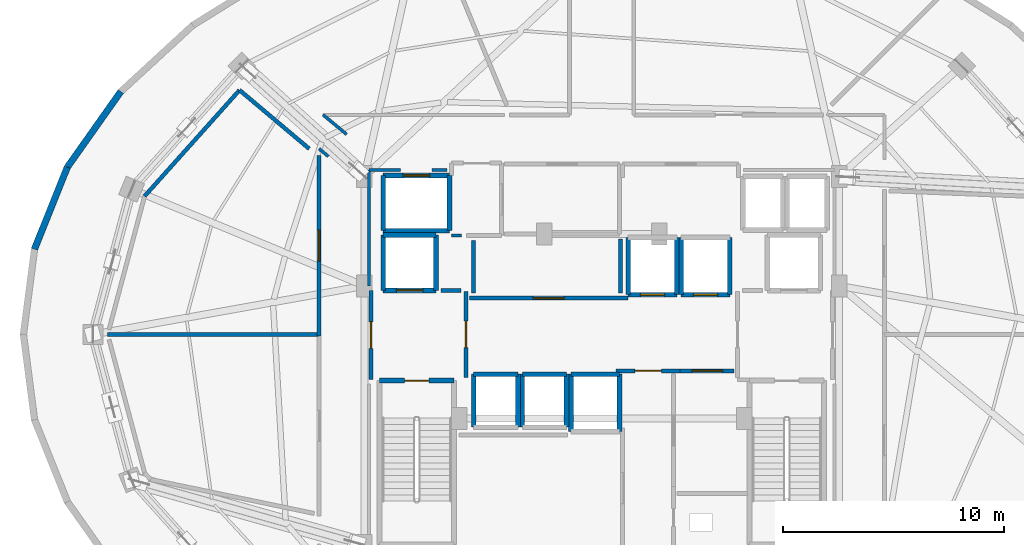
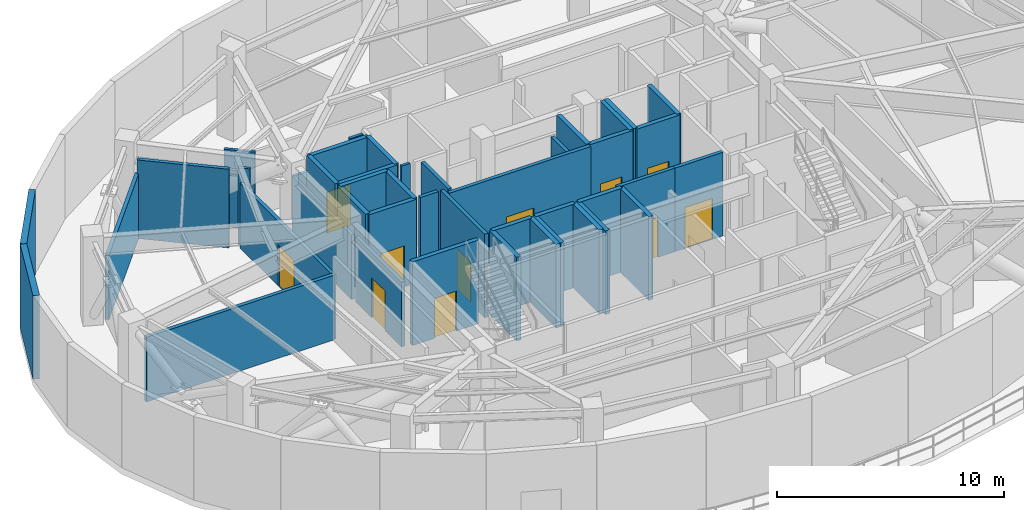
# One storey, part 7 of 10: 44 walls, 11 doors, 11 openings.
"""IFC4 building model written with IfcOpenShell, lengths in metres."""

from ifc_helpers import new_model, si_unit, direction, frame, frame_2d, origin, place, context, subcontext, project, spatial, rectangle, extrude, material, layer, layer_set, type_object, element, fill, save


model = new_model("IFC4")

# Units and contexts
model_context = context("Model", 3, precision=1e-05, world=origin(), true_north=direction((0.0, 1.0)))
body_context = subcontext(model_context, "Body", "Model", "MODEL_VIEW")
ifc_project = project(units=[si_unit("LENGTHUNIT", "METRE"), si_unit("AREAUNIT", "SQUARE_METRE"), si_unit("VOLUMEUNIT", "CUBIC_METRE"), si_unit("PLANEANGLEUNIT", "RADIAN"), si_unit("MASSUNIT", "GRAM", prefix="KILO")], contexts=[model_context])

# Site, building, storey
site_placement = place(None, origin())
site = spatial("IfcSite", under=ifc_project, at=site_placement, CompositionType="ELEMENT")
building_placement = place(site_placement, origin())
building = spatial("IfcBuilding", under=site, at=building_placement, Name="Vorneva Point Tower", CompositionType="ELEMENT")
storey_placement = place(building_placement, frame((0.0, 0.0, 224.949951171875)))
storey = spatial("IfcBuildingStorey", under=building, at=storey_placement, Name="L61", CompositionType="ELEMENT", Elevation=224.949951171875)

# Wall, opening, door
ifc_material_1 = material(Name="Concrete B60 (C50/60)", Category="concrete")
ifc_layer_1 = layer(ifc_material_1, 0.35009765625)
ifc_layer_set_1 = layer_set([ifc_layer_1], Name="Concrete B60 (C50/60)")
wall_type_1 = type_object("IfcWallType", Name="WL-CORE-350", PredefinedType="SHEAR", material=ifc_layer_set_1)
wall_1_placement = place(storey_placement, frame((28.10009765625, 28.0, 0.0), z_axis=(0.0, 0.0, 1.0), x_axis=(1.0, 0.0, 0.0)))
wall_1 = element("IfcWall", 1, at=wall_1_placement, inside=storey, type_object=wall_type_1, Name="L61 Lift FFL1 Shaft Wall -Y", PredefinedType="SHEAR", context=body_context, shape_type="SweptSolid", body=[
    extrude(rectangle(XDim=2.39990234375, YDim=0.219970703125, at=frame_2d((1.199951171875, 0.0))), origin(), (0.0, 0.0, 1.0), 4.5),
])
opening_1_placement = place(wall_1_placement, frame((0.60009765625, 0.0, 0.0)))
opening_1 = element("IfcOpeningElement", 2, at=opening_1_placement, cuts=wall_1, Name="Opening LD-02", PredefinedType="OPENING", context=body_context, shape_type="SweptSolid", body=[
    extrude(rectangle(XDim=1.199951171875, YDim=2.199951171875, at=frame_2d((0.60009765625, 1.10009765625))), frame((0.0, 0.125, 0.0), z_axis=(0.0, -1.0, 0.0), x_axis=(1.0, 0.0, 0.0)), (0.0, 0.0, 1.0), 0.249755859375),
])
ifc_material_2 = material(Name="Brushed stainless steel S304", Category="steel")
door_type_1 = type_object("IfcDoorType", Name="LD-FIRE-1200", OperationType="SLIDING_TO_LEFT", PredefinedType="DOOR", material=ifc_material_2)
door_1_placement = place(opening_1_placement, origin())
door_1 = element("IfcDoor", 3, at=door_1_placement, inside=storey, type_object=door_type_1, Name="L61 Lift FFL1 Sliding Landing Door", OperationType="SLIDING_TO_LEFT", OverallHeight=2.199951171875, OverallWidth=1.199951171875, PredefinedType="DOOR", context=body_context, shape_type="SweptSolid", body=[
    extrude(rectangle(XDim=1.199951171875, YDim=2.199951171875, at=frame_2d((0.60009765625, 1.10009765625))), frame((0.0, 0.02490234375, 0.0), z_axis=(0.0, -1.0, 0.0), x_axis=(1.0, 0.0, 0.0)), (0.0, 0.0, 1.0), 0.050048828125),
])
fill(opening_1, door_1)

# Walls
wall_2_placement = place(storey_placement, frame((30.5, 28.0, 0.0), z_axis=(0.0, 0.0, 1.0), x_axis=(0.0, 1.0, 0.0)))
element("IfcWall", 4, at=wall_2_placement, inside=storey, type_object=wall_type_1, Name="L61 Lift FFL1 Shaft Wall +X", PredefinedType="SHEAR", context=body_context, shape_type="SweptSolid", body=[
    extrude(rectangle(XDim=2.5, YDim=0.219970703125, at=frame_2d((1.25, 0.0))), origin(), (0.0, 0.0, 1.0), 4.5),
])
wall_3_placement = place(storey_placement, frame((30.5, 30.5, 0.0), z_axis=(0.0, 0.0, 1.0), x_axis=(-1.0, 0.0, 0.0)))
element("IfcWall", 5, at=wall_3_placement, inside=storey, type_object=wall_type_1, Name="L61 Lift FFL1 Shaft Wall +Y", PredefinedType="SHEAR", context=body_context, shape_type="SweptSolid", body=[
    extrude(rectangle(XDim=2.39990234375, YDim=0.219970703125, at=frame_2d((1.199951171875, 0.0))), origin(), (0.0, 0.0, 1.0), 4.5),
])
wall_4_placement = place(storey_placement, frame((28.10009765625, 30.5, 0.0), z_axis=(0.0, 0.0, 1.0), x_axis=(0.0, -1.0, 0.0)))
element("IfcWall", 6, at=wall_4_placement, inside=storey, type_object=wall_type_1, Name="L61 Lift FFL1 Shaft Wall -X", PredefinedType="SHEAR", context=body_context, shape_type="SweptSolid", body=[
    extrude(rectangle(XDim=2.5, YDim=0.219970703125, at=frame_2d((1.25, 0.0))), origin(), (0.0, 0.0, 1.0), 4.5),
])
ifc_material_3 = material(Name="Precast concrete B50 (C40/50)", Category="concrete")
ifc_layer_2 = layer(ifc_material_3, 0.300048828125)
ifc_layer_set_2 = layer_set([ifc_layer_2], Name="Precast concrete B50 (C40/50)")
wall_type_2 = type_object("IfcWallType", Name="WL-EXT-300", PredefinedType="STANDARD", material=ifc_layer_set_2)
wall_5_placement = place(storey_placement, frame((16.215576171875, 37.005859375, 0.0), z_axis=(0.0, 0.0, 1.0), x_axis=(-0.577261247247, -0.816559521668, 0.0)))
element("IfcWall", 7, at=wall_5_placement, inside=storey, type_object=wall_type_2, Name="L61 Pale-Metal Facade Spandrel Wall 07.2", PredefinedType="STANDARD", context=body_context, shape_type="SweptSolid", body=[
    extrude(rectangle(XDim=4.194091796875, YDim=0.300048828125, at=frame_2d((2.09716796875, 0.0))), origin(), (0.0, 0.0, 1.0), 4.5),
])
wall_6_placement = place(storey_placement, frame((13.79443359375, 33.5810546875, 0.0), z_axis=(0.0, 0.0, 1.0), x_axis=(-0.37234708598, -0.928093555393, 0.0)))
element("IfcWall", 8, at=wall_6_placement, inside=storey, type_object=wall_type_2, Name="L61 Pale-Metal Facade Spandrel Wall 08.1", PredefinedType="STANDARD", context=body_context, shape_type="SweptSolid", body=[
    extrude(rectangle(XDim=4.004150390625, YDim=0.300048828125, at=frame_2d((2.001953125, 0.0))), origin(), (0.0, 0.0, 1.0), 4.5),
])
ifc_material_4 = material(Name="Fire-rated acoustic gypsum stud partition", Category="gypsum")
ifc_layer_3 = layer(ifc_material_4, 0.139892578125)
ifc_layer_set_3 = layer_set([ifc_layer_3], Name="Fire-rated acoustic gypsum stud partition")
wall_type_3 = type_object("IfcWallType", Name="WL-PART-140", PredefinedType="PARTITIONING", material=ifc_layer_set_3)
wall_7_placement = place(storey_placement, frame((31.199951171875, 30.47998046875, 0.0), z_axis=(0.0, 0.0, 1.0), x_axis=(1.0, 0.0, 0.0)))
element("IfcWall", 9, at=wall_7_placement, inside=storey, type_object=wall_type_3, Name="L61 Interior Closure Partition 046", PredefinedType="PARTITIONING", context=body_context, shape_type="SweptSolid", body=[
    extrude(rectangle(XDim=0.449951171875, YDim=0.139892578125, at=frame_2d((0.22509765625, 0.0))), origin(), (0.0, 0.0, 1.0), 4.5),
])
wall_8_placement = place(storey_placement, frame((25.37890625, 35.949951171875, 0.0), z_axis=(0.0, 0.0, 1.0), x_axis=(0.769447461533, -0.638710109471, 0.0)))
element("IfcWall", 10, at=wall_8_placement, inside=storey, type_object=wall_type_3, Name="L61 Interior Closure Partition 056", PredefinedType="PARTITIONING", context=body_context, shape_type="SweptSolid", body=[
    extrude(rectangle(XDim=1.3857421875, YDim=0.139892578125, at=frame_2d((0.69287109375, 0.0))), origin(), (0.0, 0.0, 1.0), 4.14599609375),
])
wall_9_placement = place(storey_placement, frame((25.614013671875, 34.06494140625, 0.0), z_axis=(0.0, 0.0, 1.0), x_axis=(-0.769186943462, 0.639023822723, 0.0)))
element("IfcWall", 11, at=wall_9_placement, inside=storey, type_object=wall_type_3, Name="L61 Interior Closure Partition 057", PredefinedType="PARTITIONING", context=body_context, shape_type="SweptSolid", body=[
    extrude(rectangle(XDim=0.538330078125, YDim=0.139892578125, at=frame_2d((0.26904296875, 0.0))), origin(), (0.0, 0.0, 1.0), 4.14599609375),
])
wall_10_placement = place(storey_placement, frame((30.97998046875, 33.449951171875, 0.0), z_axis=(0.0, 0.0, 1.0), x_axis=(-1.0, 0.0, 0.0)))
element("IfcWall", 12, at=wall_10_placement, inside=storey, type_object=wall_type_3, Name="L61 Interior Closure Partition 060", PredefinedType="PARTITIONING", context=body_context, shape_type="SweptSolid", body=[
    extrude(rectangle(XDim=0.674072265625, YDim=0.139892578125, at=frame_2d((0.3369140625, 0.0))), origin(), (0.0, 0.0, 1.0), 4.5),
])
wall_11_placement = place(storey_placement, frame((28.89404296875, 33.449951171875, 0.0), z_axis=(0.0, 0.0, 1.0), x_axis=(-1.0, 0.0, 0.0)))
element("IfcWall", 13, at=wall_11_placement, inside=storey, type_object=wall_type_3, Name="L61 Interior Closure Partition 061", PredefinedType="PARTITIONING", context=body_context, shape_type="SweptSolid", body=[
    extrude(rectangle(XDim=1.444091796875, YDim=0.139892578125, at=frame_2d((0.72216796875, 0.0))), origin(), (0.0, 0.0, 1.0), 3.48193359375),
])
wall_12_placement = place(storey_placement, frame((27.449951171875, 33.449951171875, 0.0), z_axis=(0.0, 0.0, 1.0), x_axis=(0.0, -1.0, 0.0)))
element("IfcWall", 14, at=wall_12_placement, inside=storey, type_object=wall_type_3, Name="L61 Interior Closure Partition 062", PredefinedType="PARTITIONING", context=body_context, shape_type="SweptSolid", body=[
    extrude(rectangle(XDim=5.25390625, YDim=0.139892578125, at=frame_2d((2.626953125, 0.0))), origin(), (0.0, 0.0, 1.0), 3.48193359375),
])

# Wall, opening, door
ifc_material_5 = material(Name="Autoclaved aerated concrete blockwork", Category="masonry")
ifc_layer_4 = layer(ifc_material_5, 0.179931640625)
ifc_layer_set_4 = layer_set([ifc_layer_4], Name="Autoclaved aerated concrete blockwork")
wall_type_4 = type_object("IfcWallType", Name="WL-PART-180", PredefinedType="PARTITIONING", material=ifc_layer_set_4)
wall_13_placement = place(storey_placement, frame((31.85009765625, 24.044921875, 0.0), z_axis=(0.0, 0.0, 1.0), x_axis=(0.0, 1.0, 0.0)))
wall_13 = element("IfcWall", 15, at=wall_13_placement, inside=storey, type_object=wall_type_4, Name="L61 Interior Partition 001", PredefinedType="PARTITIONING", context=body_context, shape_type="SweptSolid", body=[
    extrude(rectangle(XDim=3.91015625, YDim=0.179931640625, at=frame_2d((1.955078125, 0.0))), origin(), (0.0, 0.0, 1.0), 4.5),
])
opening_2_placement = place(wall_13_placement, frame((1.35498046875, 0.0, 0.0)))
opening_2 = element("IfcOpeningElement", 16, at=opening_2_placement, cuts=wall_13, Name="Opening FD-02", PredefinedType="OPENING", context=body_context, shape_type="SweptSolid", body=[
    extrude(rectangle(XDim=1.199951171875, YDim=2.14990234375, at=frame_2d((0.60009765625, 1.074951171875))), frame((0.0, 0.10498046875, 0.0), z_axis=(0.0, -1.0, 0.0), x_axis=(1.0, 0.0, 0.0)), (0.0, 0.0, 1.0), 0.209716796875),
])
ifc_material_6 = material(Name="Fire-rated powder-coated steel", Category="steel")
door_type_2 = type_object("IfcDoorType", Name="DR-FFL-1200", OperationType="NOTDEFINED", PredefinedType="DOOR", material=ifc_material_6)
door_2_placement = place(opening_2_placement, origin())
door_2 = element("IfcDoor", 17, at=door_2_placement, inside=storey, type_object=door_type_2, Name="L61 Door West Firefighting Lobby / Central Lift Lobby", OperationType="SINGLE_SWING_RIGHT", OverallHeight=2.14990234375, OverallWidth=1.199951171875, PredefinedType="DOOR", context=body_context, shape_type="SweptSolid", body=[
    extrude(rectangle(XDim=1.199951171875, YDim=2.14990234375, at=frame_2d((0.60009765625, 1.074951171875))), frame((0.0, 0.02490234375, 0.0), z_axis=(0.0, -1.0, 0.0), x_axis=(1.0, 0.0, 0.0)), (0.0, 0.0, 1.0), 0.050048828125),
])
fill(opening_2, door_2)

wall_14_placement = place(storey_placement, frame((27.550048828125, 28.0, 0.0), z_axis=(0.0, 0.0, 1.0), x_axis=(0.0, -1.0, 0.0)))
wall_14 = element("IfcWall", 18, at=wall_14_placement, inside=storey, type_object=wall_type_4, Name="L61 Interior Partition 002", PredefinedType="PARTITIONING", context=body_context, shape_type="SweptSolid", body=[
    extrude(rectangle(XDim=4.050048828125, YDim=0.179931640625, at=frame_2d((2.02490234375, 0.0))), origin(), (0.0, 0.0, 1.0), 3.48193359375),
])
opening_3_placement = place(wall_14_placement, frame((1.425048828125, 0.0, 0.0)))
opening_3 = element("IfcOpeningElement", 19, at=opening_3_placement, cuts=wall_14, Name="Opening FD-02", PredefinedType="OPENING", context=body_context, shape_type="SweptSolid", body=[
    extrude(rectangle(XDim=1.199951171875, YDim=2.14990234375, at=frame_2d((0.60009765625, 1.074951171875))), frame((0.0, 0.10498046875, 0.0), z_axis=(0.0, -1.0, 0.0), x_axis=(1.0, 0.0, 0.0)), (0.0, 0.0, 1.0), 0.209716796875),
])
door_3_placement = place(opening_3_placement, origin())
door_3 = element("IfcDoor", 20, at=door_3_placement, inside=storey, type_object=door_type_2, Name="L61 Door West Firefighting Lobby / L61 Refuge and Lift Lobby", OperationType="SINGLE_SWING_RIGHT", OverallHeight=2.14990234375, OverallWidth=1.199951171875, PredefinedType="DOOR", context=body_context, shape_type="SweptSolid", body=[
    extrude(rectangle(XDim=1.199951171875, YDim=2.14990234375, at=frame_2d((0.60009765625, 1.074951171875))), frame((0.0, 0.02490234375, 0.0), z_axis=(0.0, -1.0, 0.0), x_axis=(1.0, 0.0, 0.0)), (0.0, 0.0, 1.0), 0.050048828125),
])
fill(opening_3, door_3)

wall_15_placement = place(storey_placement, frame((38.64501953125, 24.35009765625, 0.0), z_axis=(0.0, 0.0, 1.0), x_axis=(1.0, 0.0, 0.0)))
wall_15 = element("IfcWall", 21, at=wall_15_placement, inside=storey, type_object=wall_type_4, Name="L61 Interior Partition 010", PredefinedType="PARTITIONING", context=body_context, shape_type="SweptSolid", body=[
    extrude(rectangle(XDim=2.909912109375, YDim=0.179931640625, at=frame_2d((1.455078125, 0.0))), origin(), (0.0, 0.0, 1.0), 4.5),
])
opening_4_placement = place(wall_15_placement, frame((0.85498046875, 0.0, 0.0)))
opening_4 = element("IfcOpeningElement", 22, at=opening_4_placement, cuts=wall_15, Name="Opening FD-02", PredefinedType="OPENING", context=body_context, shape_type="SweptSolid", body=[
    extrude(rectangle(XDim=1.199951171875, YDim=2.14990234375, at=frame_2d((0.60009765625, 1.074951171875))), frame((0.0, 0.10498046875, 0.0), z_axis=(0.0, -1.0, 0.0), x_axis=(1.0, 0.0, 0.0)), (0.0, 0.0, 1.0), 0.209716796875),
])
door_4_placement = place(opening_4_placement, origin())
door_4 = element("IfcDoor", 23, at=door_4_placement, inside=storey, type_object=door_type_2, Name="L61 Door Central Lift Lobby / Core Service Lobby", OperationType="SINGLE_SWING_LEFT", OverallHeight=2.14990234375, OverallWidth=1.199951171875, PredefinedType="DOOR", context=body_context, shape_type="SweptSolid", body=[
    extrude(rectangle(XDim=1.199951171875, YDim=2.14990234375, at=frame_2d((0.60009765625, 1.074951171875))), frame((0.0, 0.02490234375, 0.0), z_axis=(0.0, -1.0, 0.0), x_axis=(1.0, 0.0, 0.0)), (0.0, 0.0, 1.0), 0.050048828125),
])
fill(opening_4, door_4)

wall_16_placement = place(storey_placement, frame((41.554931640625, 24.35009765625, 0.0), z_axis=(0.0, 0.0, 1.0), x_axis=(1.0, 0.0, 0.0)))
wall_16 = element("IfcWall", 24, at=wall_16_placement, inside=storey, type_object=wall_type_4, Name="L61 Interior Partition 011", PredefinedType="PARTITIONING", context=body_context, shape_type="SweptSolid", body=[
    extrude(rectangle(XDim=2.445068359375, YDim=0.179931640625, at=frame_2d((1.22265625, 0.0))), origin(), (0.0, 0.0, 1.0), 4.5),
])
opening_5_placement = place(wall_16_placement, frame((0.5224609375, 0.0, 0.0)))
opening_5 = element("IfcOpeningElement", 25, at=opening_5_placement, cuts=wall_16, Name="Opening FD-03", PredefinedType="OPENING", context=body_context, shape_type="SweptSolid", body=[
    extrude(rectangle(XDim=1.39990234375, YDim=2.199951171875, at=frame_2d((0.699951171875, 1.10009765625))), frame((0.0, 0.10498046875, 0.0), z_axis=(0.0, -1.0, 0.0), x_axis=(1.0, 0.0, 0.0)), (0.0, 0.0, 1.0), 0.209716796875),
])
door_type_3 = type_object("IfcDoorType", Name="DR-PLT-1400", OperationType="DOUBLE_SWING_LEFT", PredefinedType="DOOR", material=ifc_material_6)
door_5_placement = place(opening_5_placement, origin())
door_5 = element("IfcDoor", 26, at=door_5_placement, inside=storey, type_object=door_type_3, Name="L61 Door Central Lift Lobby / Core BMS Control Plant L61", OperationType="DOUBLE_SWING_LEFT", OverallHeight=2.199951171875, OverallWidth=1.39990234375, PredefinedType="DOOR", context=body_context, shape_type="SweptSolid", body=[
    extrude(rectangle(XDim=1.39990234375, YDim=2.199951171875, at=frame_2d((0.699951171875, 1.10009765625))), frame((0.0, 0.02490234375, 0.0), z_axis=(0.0, -1.0, 0.0), x_axis=(1.0, 0.0, 0.0)), (0.0, 0.0, 1.0), 0.050048828125),
])
fill(opening_5, door_5)

wall_17_placement = place(storey_placement, frame((39.18994140625, 27.64990234375, 0.0), z_axis=(0.0, 0.0, 1.0), x_axis=(-1.0, 0.0, 0.0)))
wall_17 = element("IfcWall", 27, at=wall_17_placement, inside=storey, type_object=wall_type_4, Name="L61 Interior Partition 012", PredefinedType="PARTITIONING", context=body_context, shape_type="SweptSolid", body=[
    extrude(rectangle(XDim=7.18994140625, YDim=0.179931640625, at=frame_2d((3.594970703125, 0.0))), origin(), (0.0, 0.0, 1.0), 4.5),
])
opening_6_placement = place(wall_17_placement, frame((2.89501953125, 0.0, 0.0)))
opening_6 = element("IfcOpeningElement", 28, at=opening_6_placement, cuts=wall_17, Name="Opening FD-03", PredefinedType="OPENING", context=body_context, shape_type="SweptSolid", body=[
    extrude(rectangle(XDim=1.39990234375, YDim=2.199951171875, at=frame_2d((0.699951171875, 1.10009765625))), frame((0.0, 0.10498046875, 0.0), z_axis=(0.0, -1.0, 0.0), x_axis=(1.0, 0.0, 0.0)), (0.0, 0.0, 1.0), 0.209716796875),
])
door_6_placement = place(opening_6_placement, origin())
door_6 = element("IfcDoor", 29, at=door_6_placement, inside=storey, type_object=door_type_3, Name="L61 Door Central Lift Lobby / Crown Mechanical Plenum L61", OperationType="DOUBLE_SWING_LEFT", OverallHeight=2.199951171875, OverallWidth=1.39990234375, PredefinedType="DOOR", context=body_context, shape_type="SweptSolid", body=[
    extrude(rectangle(XDim=1.39990234375, YDim=2.199951171875, at=frame_2d((0.699951171875, 1.10009765625))), frame((0.0, 0.02490234375, 0.0), z_axis=(0.0, -1.0, 0.0), x_axis=(1.0, 0.0, 0.0)), (0.0, 0.0, 1.0), 0.050048828125),
])
fill(opening_6, door_6)

wall_18_placement = place(storey_placement, frame((25.199951171875, 34.111083984375, 0.0), z_axis=(0.0, 0.0, 1.0), x_axis=(0.0, -1.0, 0.0)))
wall_18 = element("IfcWall", 30, at=wall_18_placement, inside=storey, type_object=wall_type_4, Name="L61 Interior Partition 032", PredefinedType="PARTITIONING", context=body_context, shape_type="SweptSolid", body=[
    extrude(rectangle(XDim=8.171142578125, YDim=0.179931640625, at=frame_2d((4.08544921875, 0.0))), origin(), (0.0, 0.0, 1.0), 3.48193359375),
])
opening_7_placement = place(wall_18_placement, frame((3.385498046875, 0.0, 0.0)))
opening_7 = element("IfcOpeningElement", 31, at=opening_7_placement, cuts=wall_18, Name="Opening FD-03", PredefinedType="OPENING", context=body_context, shape_type="SweptSolid", body=[
    extrude(rectangle(XDim=1.39990234375, YDim=2.199951171875, at=frame_2d((0.699951171875, 1.10009765625))), frame((0.0, 0.10498046875, 0.0), z_axis=(0.0, -1.0, 0.0), x_axis=(1.0, 0.0, 0.0)), (0.0, 0.0, 1.0), 0.209716796875),
])
door_7_placement = place(opening_7_placement, origin())
door_7 = element("IfcDoor", 32, at=door_7_placement, inside=storey, type_object=door_type_3, Name="L61 Door L61 Refuge and Lift Lobby / Chiller Plant Room L61", OperationType="DOUBLE_SWING_LEFT", OverallHeight=2.199951171875, OverallWidth=1.39990234375, PredefinedType="DOOR", context=body_context, shape_type="SweptSolid", body=[
    extrude(rectangle(XDim=1.39990234375, YDim=2.199951171875, at=frame_2d((0.699951171875, 1.10009765625))), frame((0.0, 0.02490234375, 0.0), z_axis=(0.0, -1.0, 0.0), x_axis=(1.0, 0.0, 0.0)), (0.0, 0.0, 1.0), 0.050048828125),
])
fill(opening_7, door_7)

# Walls
wall_19_placement = place(storey_placement, frame((15.623046875, 26.0, 0.0), z_axis=(0.0, 0.0, 1.0), x_axis=(1.0, 0.0, 0.0)))
element("IfcWall", 33, at=wall_19_placement, inside=storey, type_object=wall_type_4, Name="L61 Interior Partition 042", PredefinedType="PARTITIONING", context=body_context, shape_type="SweptSolid", body=[
    extrude(rectangle(XDim=9.576904296875, YDim=0.179931640625, at=frame_2d((4.78857421875, 0.0))), origin(), (0.0, 0.0, 1.0), 3.48193359375),
])
wall_20_placement = place(storey_placement, frame((31.635009765625, 28.0, 0.0), z_axis=(0.0, 0.0, 1.0), x_axis=(-1.0, 0.0, 0.0)))
element("IfcWall", 34, at=wall_20_placement, inside=storey, type_object=wall_type_4, Name="L61 Interior Closure Partition 044", PredefinedType="PARTITIONING", context=body_context, shape_type="SweptSolid", body=[
    extrude(rectangle(XDim=0.9150390625, YDim=0.179931640625, at=frame_2d((0.45751953125, 0.0))), origin(), (0.0, 0.0, 1.0), 4.5),
])
wall_21_placement = place(storey_placement, frame((32.199951171875, 30.260009765625, 0.0), z_axis=(0.0, 0.0, 1.0), x_axis=(0.0, -1.0, 0.0)))
element("IfcWall", 35, at=wall_21_placement, inside=storey, type_object=wall_type_4, Name="L61 Interior Closure Partition 048", PredefinedType="PARTITIONING", context=body_context, shape_type="SweptSolid", body=[
    extrude(rectangle(XDim=2.389892578125, YDim=0.179931640625, at=frame_2d((1.19482421875, 0.0))), origin(), (0.0, 0.0, 1.0), 4.5),
])
wall_22_placement = place(storey_placement, frame((38.85009765625, 27.8701171875, 0.0), z_axis=(0.0, 0.0, 1.0), x_axis=(0.0, 1.0, 0.0)))
element("IfcWall", 36, at=wall_22_placement, inside=storey, type_object=wall_type_4, Name="L61 Interior Closure Partition 049", PredefinedType="PARTITIONING", context=body_context, shape_type="SweptSolid", body=[
    extrude(rectangle(XDim=2.4658203125, YDim=0.179931640625, at=frame_2d((1.23291015625, 0.0))), origin(), (0.0, 0.0, 1.0), 3.48193359375),
])
wall_23_placement = place(storey_placement, frame((21.593994140625, 37.068115234375, 0.0), z_axis=(0.0, 0.0, 1.0), x_axis=(-0.667012857152, -0.745046205543, 0.0)))
element("IfcWall", 37, at=wall_23_placement, inside=storey, type_object=wall_type_4, Name="L61 Interior Closure Partition 073", PredefinedType="PARTITIONING", context=body_context, shape_type="SweptSolid", body=[
    extrude(rectangle(XDim=6.4482421875, YDim=0.179931640625, at=frame_2d((3.22412109375, 0.0))), origin(), (0.0, 0.0, 1.0), 3.48193359375),
])
wall_24_placement = place(storey_placement, frame((24.75, 34.412109375, 0.0), z_axis=(0.0, 0.0, 1.0), x_axis=(-0.765112224477, 0.643896951349, 0.0)))
element("IfcWall", 38, at=wall_24_placement, inside=storey, type_object=wall_type_4, Name="L61 Interior Closure Partition 075", PredefinedType="PARTITIONING", context=body_context, shape_type="SweptSolid", body=[
    extrude(rectangle(XDim=4.125, YDim=0.179931640625, at=frame_2d((2.0625, 0.0))), origin(), (0.0, 0.0, 1.0), 4.23193359375),
])

# Wall, opening, door
ifc_material_7 = material(Name="Concrete B50 (C40/50)", Category="concrete")
ifc_layer_5 = layer(ifc_material_7, 0.219970703125)
ifc_layer_set_5 = layer_set([ifc_layer_5], Name="Concrete B50 (C40/50)")
wall_type_5 = type_object("IfcWallType", Name="WL-SHFT-220", PredefinedType="SOLIDWALL", material=ifc_layer_set_5)
wall_25_placement = place(storey_placement, frame((27.93994140625, 23.909912109375, 0.0), z_axis=(0.0, 0.0, 1.0), x_axis=(1.0, 0.0, 0.0)))
wall_25 = element("IfcWall", 39, at=wall_25_placement, inside=storey, type_object=wall_type_5, Name="L61 Exit Stair ST1 Shaft Wall near", PredefinedType="SOLIDWALL", context=body_context, shape_type="SweptSolid", body=[
    extrude(rectangle(XDim=3.3701171875, YDim=0.219970703125, at=frame_2d((1.68505859375, 0.0))), origin(), (0.0, 0.0, 1.0), 4.5),
])
opening_8_placement = place(wall_25_placement, frame((1.135009765625, 0.0, 0.0)))
opening_8 = element("IfcOpeningElement", 40, at=opening_8_placement, cuts=wall_25, Name="Opening FD-01", PredefinedType="OPENING", context=body_context, shape_type="SweptSolid", body=[
    extrude(rectangle(XDim=1.10009765625, YDim=2.14990234375, at=frame_2d((0.550048828125, 1.074951171875))), frame((0.0, 0.125, 0.0), z_axis=(0.0, -1.0, 0.0), x_axis=(1.0, 0.0, 0.0)), (0.0, 0.0, 1.0), 0.249755859375),
])
door_type_4 = type_object("IfcDoorType", Name="DR-STAIR-1100", OperationType="NOTDEFINED", PredefinedType="DOOR", material=ifc_material_6)
door_8_placement = place(opening_8_placement, origin())
door_8 = element("IfcDoor", 41, at=door_8_placement, inside=storey, type_object=door_type_4, Name="L61 Exit Stair ST1 Fire Door", OperationType="SINGLE_SWING_LEFT", OverallHeight=2.14990234375, OverallWidth=1.10009765625, PredefinedType="DOOR", context=body_context, shape_type="SweptSolid", body=[
    extrude(rectangle(XDim=1.10009765625, YDim=2.14990234375, at=frame_2d((0.550048828125, 1.074951171875))), frame((0.0, 0.02490234375, 0.0), z_axis=(0.0, -1.0, 0.0), x_axis=(1.0, 0.0, 0.0)), (0.0, 0.0, 1.0), 0.050048828125),
])
fill(opening_8, door_8)

# Walls
wall_26_placement = place(storey_placement, frame((34.199951171875, 21.800048828125, 0.0), z_axis=(0.0, 0.0, 1.0), x_axis=(0.0, 1.0, 0.0)))
element("IfcWall", 42, at=wall_26_placement, inside=storey, type_object=wall_type_5, Name="L61 Lift PL4 Shaft Wall +X", PredefinedType="SOLIDWALL", context=body_context, shape_type="SweptSolid", body=[
    extrude(rectangle(XDim=2.39990234375, YDim=0.219970703125, at=frame_2d((1.199951171875, 0.0))), origin(), (0.0, 0.0, 1.0), 4.5),
])
wall_27_placement = place(storey_placement, frame((34.199951171875, 24.199951171875, 0.0), z_axis=(0.0, 0.0, 1.0), x_axis=(-1.0, 0.0, 0.0)))
element("IfcWall", 43, at=wall_27_placement, inside=storey, type_object=wall_type_5, Name="L61 Lift PL4 Shaft Wall +Y", PredefinedType="SOLIDWALL", context=body_context, shape_type="SweptSolid", body=[
    extrude(rectangle(XDim=2.0, YDim=0.219970703125, at=frame_2d((1.0, 0.0))), origin(), (0.0, 0.0, 1.0), 4.5),
])
for number, where, z_axis, x_axis, name in (
    (44, (32.199951171875, 24.199951171875, 0.0), (0.0, 0.0, 1.0), (0.0, -1.0, 0.0), "L61 Lift PL4 Shaft Wall -X"),
    (45, (36.39990234375, 21.800048828125, 0.0), (0.0, 0.0, 1.0), (0.0, 1.0, 0.0), "L61 Lift PL5 Shaft Wall +X"),
):
    element("IfcWall", number, at=place(storey_placement, frame(where, z_axis=z_axis, x_axis=x_axis)), inside=storey, type_object=wall_type_5, Name=name, PredefinedType="SOLIDWALL", context=body_context, shape_type="SweptSolid", body=[
        extrude(rectangle(XDim=2.39990234375, YDim=0.219970703125, at=frame_2d((1.199951171875, 0.0))), origin(), (0.0, 0.0, 1.0), 4.5),
    ])
wall_28_placement = place(storey_placement, frame((36.39990234375, 24.199951171875, 0.0), z_axis=(0.0, 0.0, 1.0), x_axis=(-1.0, 0.0, 0.0)))
element("IfcWall", 46, at=wall_28_placement, inside=storey, type_object=wall_type_5, Name="L61 Lift PL5 Shaft Wall +Y", PredefinedType="SOLIDWALL", context=body_context, shape_type="SweptSolid", body=[
    extrude(rectangle(XDim=2.0, YDim=0.219970703125, at=frame_2d((1.0, 0.0))), origin(), (0.0, 0.0, 1.0), 4.5),
])
wall_29_placement = place(storey_placement, frame((34.39990234375, 24.199951171875, 0.0), z_axis=(0.0, 0.0, 1.0), x_axis=(0.0, -1.0, 0.0)))
element("IfcWall", 47, at=wall_29_placement, inside=storey, type_object=wall_type_5, Name="L61 Lift PL5 Shaft Wall -X", PredefinedType="SOLIDWALL", context=body_context, shape_type="SweptSolid", body=[
    extrude(rectangle(XDim=2.39990234375, YDim=0.219970703125, at=frame_2d((1.199951171875, 0.0))), origin(), (0.0, 0.0, 1.0), 4.5),
])
wall_30_placement = place(storey_placement, frame((38.800048828125, 21.60009765625, 0.0), z_axis=(0.0, 0.0, 1.0), x_axis=(0.0, 1.0, 0.0)))
element("IfcWall", 48, at=wall_30_placement, inside=storey, type_object=wall_type_5, Name="L61 Lift PL6 Shaft Wall +X", PredefinedType="SOLIDWALL", context=body_context, shape_type="SweptSolid", body=[
    extrude(rectangle(XDim=2.599853515625, YDim=0.219970703125, at=frame_2d((1.2998046875, 0.0))), origin(), (0.0, 0.0, 1.0), 4.5),
])
wall_31_placement = place(storey_placement, frame((38.800048828125, 24.199951171875, 0.0), z_axis=(0.0, 0.0, 1.0), x_axis=(-1.0, 0.0, 0.0)))
element("IfcWall", 49, at=wall_31_placement, inside=storey, type_object=wall_type_5, Name="L61 Lift PL6 Shaft Wall +Y", PredefinedType="SOLIDWALL", context=body_context, shape_type="SweptSolid", body=[
    extrude(rectangle(XDim=2.199951171875, YDim=0.219970703125, at=frame_2d((1.10009765625, 0.0))), origin(), (0.0, 0.0, 1.0), 4.5),
])
wall_32_placement = place(storey_placement, frame((36.60009765625, 24.199951171875, 0.0), z_axis=(0.0, 0.0, 1.0), x_axis=(0.0, -1.0, 0.0)))
element("IfcWall", 50, at=wall_32_placement, inside=storey, type_object=wall_type_5, Name="L61 Lift PL6 Shaft Wall -X", PredefinedType="SOLIDWALL", context=body_context, shape_type="SweptSolid", body=[
    extrude(rectangle(XDim=2.599853515625, YDim=0.219970703125, at=frame_2d((1.2998046875, 0.0))), origin(), (0.0, 0.0, 1.0), 4.5),
])

# Wall, opening, door
wall_33_placement = place(storey_placement, frame((39.199951171875, 27.800048828125, 0.0), z_axis=(0.0, 0.0, 1.0), x_axis=(1.0, 0.0, 0.0)))
wall_33 = element("IfcWall", 51, at=wall_33_placement, inside=storey, type_object=wall_type_5, Name="L61 Lift PL7 Shaft Wall -Y", PredefinedType="SOLIDWALL", context=body_context, shape_type="SweptSolid", body=[
    extrude(rectangle(XDim=2.199951171875, YDim=0.219970703125, at=frame_2d((1.10009765625, 0.0))), origin(), (0.0, 0.0, 1.0), 4.5),
])
opening_9_placement = place(wall_33_placement, frame((0.550048828125, 0.0, 0.0)))
opening_9 = element("IfcOpeningElement", 52, at=opening_9_placement, cuts=wall_33, Name="Opening LD-01", PredefinedType="OPENING", context=body_context, shape_type="SweptSolid", body=[
    extrude(rectangle(XDim=1.10009765625, YDim=2.199951171875, at=frame_2d((0.550048828125, 1.10009765625))), frame((0.0, 0.125, 0.0), z_axis=(0.0, -1.0, 0.0), x_axis=(1.0, 0.0, 0.0)), (0.0, 0.0, 1.0), 0.249755859375),
])
door_type_5 = type_object("IfcDoorType", Name="LD-PASS-1100", OperationType="SLIDING_TO_LEFT", PredefinedType="DOOR", material=ifc_material_2)
door_9_placement = place(opening_9_placement, origin())
door_9 = element("IfcDoor", 53, at=door_9_placement, inside=storey, type_object=door_type_5, Name="L61 Lift PL7 Sliding Landing Door", OperationType="SLIDING_TO_LEFT", OverallHeight=2.199951171875, OverallWidth=1.10009765625, PredefinedType="DOOR", context=body_context, shape_type="SweptSolid", body=[
    extrude(rectangle(XDim=1.10009765625, YDim=2.199951171875, at=frame_2d((0.550048828125, 1.10009765625))), frame((0.0, 0.02490234375, 0.0), z_axis=(0.0, -1.0, 0.0), x_axis=(1.0, 0.0, 0.0)), (0.0, 0.0, 1.0), 0.050048828125),
])
fill(opening_9, door_9)

# Walls
for number, where, z_axis, x_axis, name in (
    (54, (41.39990234375, 27.800048828125, 0.0), (0.0, 0.0, 1.0), (0.0, 1.0, 0.0), "L61 Lift PL7 Shaft Wall +X"),
    (55, (39.199951171875, 30.39990234375, 0.0), (0.0, 0.0, 1.0), (0.0, -1.0, 0.0), "L61 Lift PL7 Shaft Wall -X"),
):
    element("IfcWall", number, at=place(storey_placement, frame(where, z_axis=z_axis, x_axis=x_axis)), inside=storey, type_object=wall_type_5, Name=name, PredefinedType="SOLIDWALL", context=body_context, shape_type="SweptSolid", body=[
        extrude(rectangle(XDim=2.599853515625, YDim=0.219970703125, at=frame_2d((1.2998046875, 0.0))), origin(), (0.0, 0.0, 1.0), 4.5),
    ])

# Wall, opening, door
wall_34_placement = place(storey_placement, frame((41.60009765625, 27.800048828125, 0.0), z_axis=(0.0, 0.0, 1.0), x_axis=(1.0, 0.0, 0.0)))
wall_34 = element("IfcWall", 56, at=wall_34_placement, inside=storey, type_object=wall_type_5, Name="L61 Lift PL8 Shaft Wall -Y", PredefinedType="SOLIDWALL", context=body_context, shape_type="SweptSolid", body=[
    extrude(rectangle(XDim=2.199951171875, YDim=0.219970703125, at=frame_2d((1.10009765625, 0.0))), origin(), (0.0, 0.0, 1.0), 4.5),
])
opening_10_placement = place(wall_34_placement, frame((0.550048828125, 0.0, 0.0)))
opening_10 = element("IfcOpeningElement", 57, at=opening_10_placement, cuts=wall_34, Name="Opening LD-01", PredefinedType="OPENING", context=body_context, shape_type="SweptSolid", body=[
    extrude(rectangle(XDim=1.10009765625, YDim=2.199951171875, at=frame_2d((0.550048828125, 1.10009765625))), frame((0.0, 0.125, 0.0), z_axis=(0.0, -1.0, 0.0), x_axis=(1.0, 0.0, 0.0)), (0.0, 0.0, 1.0), 0.249755859375),
])
door_10_placement = place(opening_10_placement, origin())
door_10 = element("IfcDoor", 58, at=door_10_placement, inside=storey, type_object=door_type_5, Name="L61 Lift PL8 Sliding Landing Door", OperationType="SLIDING_TO_LEFT", OverallHeight=2.199951171875, OverallWidth=1.10009765625, PredefinedType="DOOR", context=body_context, shape_type="SweptSolid", body=[
    extrude(rectangle(XDim=1.10009765625, YDim=2.199951171875, at=frame_2d((0.550048828125, 1.10009765625))), frame((0.0, 0.02490234375, 0.0), z_axis=(0.0, -1.0, 0.0), x_axis=(1.0, 0.0, 0.0)), (0.0, 0.0, 1.0), 0.050048828125),
])
fill(opening_10, door_10)

# Walls
for number, where, z_axis, x_axis, name in (
    (59, (43.800048828125, 27.800048828125, 0.0), (0.0, 0.0, 1.0), (0.0, 1.0, 0.0), "L61 Lift PL8 Shaft Wall +X"),
    (60, (41.60009765625, 30.39990234375, 0.0), (0.0, 0.0, 1.0), (0.0, -1.0, 0.0), "L61 Lift PL8 Shaft Wall -X"),
):
    element("IfcWall", number, at=place(storey_placement, frame(where, z_axis=z_axis, x_axis=x_axis)), inside=storey, type_object=wall_type_5, Name=name, PredefinedType="SOLIDWALL", context=body_context, shape_type="SweptSolid", body=[
        extrude(rectangle(XDim=2.599853515625, YDim=0.219970703125, at=frame_2d((1.2998046875, 0.0))), origin(), (0.0, 0.0, 1.0), 4.5),
    ])
wall_35_placement = place(storey_placement, frame((28.10009765625, 30.699951171875, 0.0), z_axis=(0.0, 0.0, 1.0), x_axis=(1.0, 0.0, 0.0)))
element("IfcWall", 61, at=wall_35_placement, inside=storey, type_object=wall_type_5, Name="L61 Lift SVL1 Shaft Wall -Y", PredefinedType="SOLIDWALL", context=body_context, shape_type="SweptSolid", body=[
    extrude(rectangle(XDim=3.0, YDim=0.219970703125, at=frame_2d((1.5, 0.0))), origin(), (0.0, 0.0, 1.0), 4.5),
])
wall_36_placement = place(storey_placement, frame((31.10009765625, 30.699951171875, 0.0), z_axis=(0.0, 0.0, 1.0), x_axis=(0.0, 1.0, 0.0)))
element("IfcWall", 62, at=wall_36_placement, inside=storey, type_object=wall_type_5, Name="L61 Lift SVL1 Shaft Wall +X", PredefinedType="SOLIDWALL", context=body_context, shape_type="SweptSolid", body=[
    extrude(rectangle(XDim=2.5, YDim=0.219970703125, at=frame_2d((1.25, 0.0))), origin(), (0.0, 0.0, 1.0), 4.5),
])

# Wall, opening, door
wall_37_placement = place(storey_placement, frame((31.10009765625, 33.199951171875, 0.0), z_axis=(0.0, 0.0, 1.0), x_axis=(-1.0, 0.0, 0.0)))
wall_37 = element("IfcWall", 63, at=wall_37_placement, inside=storey, type_object=wall_type_5, Name="L61 Lift SVL1 Shaft Wall +Y", PredefinedType="SOLIDWALL", context=body_context, shape_type="SweptSolid", body=[
    extrude(rectangle(XDim=3.0, YDim=0.219970703125, at=frame_2d((1.5, 0.0))), origin(), (0.0, 0.0, 1.0), 4.5),
])
opening_11_placement = place(wall_37_placement, frame((0.89990234375, 0.0, 0.0)))
opening_11 = element("IfcOpeningElement", 64, at=opening_11_placement, cuts=wall_37, Name="Opening LD-02", PredefinedType="OPENING", context=body_context, shape_type="SweptSolid", body=[
    extrude(rectangle(XDim=1.199951171875, YDim=2.199951171875, at=frame_2d((0.60009765625, 1.10009765625))), frame((0.0, 0.125, 0.0), z_axis=(0.0, -1.0, 0.0), x_axis=(1.0, 0.0, 0.0)), (0.0, 0.0, 1.0), 0.249755859375),
])
door_11_placement = place(opening_11_placement, origin())
door_11 = element("IfcDoor", 65, at=door_11_placement, inside=storey, type_object=door_type_1, Name="L61 Lift SVL1 Sliding Landing Door", OperationType="SLIDING_TO_LEFT", OverallHeight=2.199951171875, OverallWidth=1.199951171875, PredefinedType="DOOR", context=body_context, shape_type="SweptSolid", body=[
    extrude(rectangle(XDim=1.199951171875, YDim=2.199951171875, at=frame_2d((0.60009765625, 1.10009765625))), frame((0.0, 0.02490234375, 0.0), z_axis=(0.0, -1.0, 0.0), x_axis=(1.0, 0.0, 0.0)), (0.0, 0.0, 1.0), 0.050048828125),
])
fill(opening_11, door_11)

# Wall
wall_38_placement = place(storey_placement, frame((28.10009765625, 33.199951171875, 0.0), z_axis=(0.0, 0.0, 1.0), x_axis=(0.0, -1.0, 0.0)))
element("IfcWall", 66, at=wall_38_placement, inside=storey, type_object=wall_type_5, Name="L61 Lift SVL1 Shaft Wall -X", PredefinedType="SOLIDWALL", context=body_context, shape_type="SweptSolid", body=[
    extrude(rectangle(XDim=2.5, YDim=0.219970703125, at=frame_2d((1.25, 0.0))), origin(), (0.0, 0.0, 1.0), 4.5),
])

save(model, "model.ifc")
